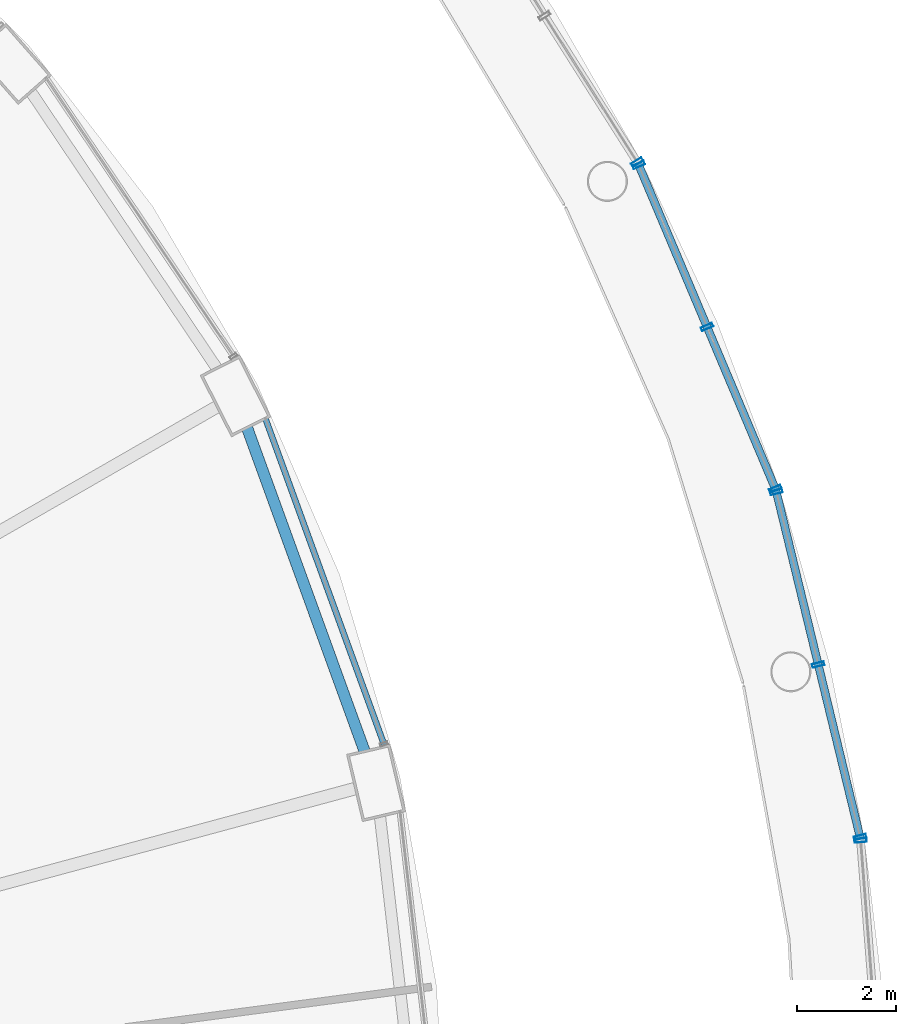
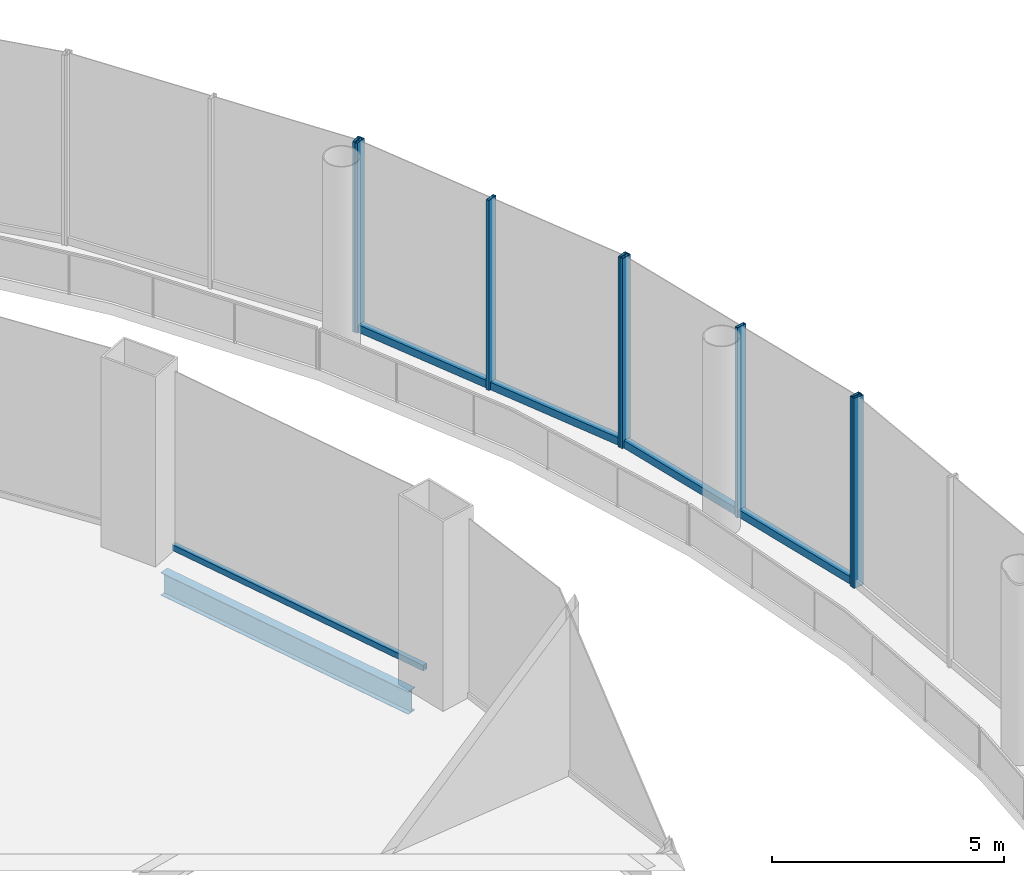
# One storey, part 27 of 47: 11 members, 1 beam, 5 elements without a shape of their own.
"""IFC4 building model written with IfcOpenShell, lengths in metres."""

from ifc_helpers import new_model, si_unit, direction, frame, origin, origin_2d, place, context, subcontext, project, spatial, hollow_rectangle, i_section, extrude, material, layer, layer_set, material_profile, profile_set, type_object, element, aggregate, save


model = new_model("IFC4")

# Units and contexts
model_context = context("Model", 3, precision=1e-05, world=origin(), true_north=direction((0.0, 1.0)))
body_context = subcontext(model_context, "Body", "Model", "MODEL_VIEW")
ifc_project = project(units=[si_unit("LENGTHUNIT", "METRE"), si_unit("AREAUNIT", "SQUARE_METRE"), si_unit("VOLUMEUNIT", "CUBIC_METRE"), si_unit("PLANEANGLEUNIT", "RADIAN"), si_unit("MASSUNIT", "GRAM", prefix="KILO")], contexts=[model_context])

# Site, building, storey
site_placement = place(None, origin())
site = spatial("IfcSite", under=ifc_project, at=site_placement, CompositionType="ELEMENT")
building_placement = place(site_placement, origin())
building = spatial("IfcBuilding", under=site, at=building_placement, Name="Nagisa Residences", CompositionType="ELEMENT")
storey_placement = place(building_placement, frame((0.0, 0.0, 7.0)))
storey = spatial("IfcBuildingStorey", under=building, at=storey_placement, Name="L01", CompositionType="ELEMENT", Elevation=7.0)

# Curtain wall, member
ifc_material_1 = material(Name="Stainless steel curtain wall system", Category="steel")
ifc_layer_1 = layer(ifc_material_1, 0.159912109375)
ifc_layer_set_1 = layer_set([ifc_layer_1], Name="CW3 CURTAIN WALL")
curtain_wall_type_1 = type_object("IfcCurtainWallType", Name="CW3 CURTAIN WALL", PredefinedType="NOTDEFINED", material=ifc_layer_set_1)
curtain_wall_1_placement = place(storey_placement, origin())
curtain_wall_1 = element("IfcCurtainWall", 1, at=curtain_wall_1_placement, inside=storey, type_object=curtain_wall_type_1, Name="cw:CW3:L01:00", PredefinedType="NOTDEFINED")
ifc_material_2 = material(Name="Stainless steel", Category="steel")
ifc_material_profile_1 = material_profile(ifc_material_2, hollow_rectangle(XDim=0.25, YDim=0.080078125, WallThickness=0.008056640625, at=origin_2d()), Name="CW3 MULLION 250x80")
ifc_profile_set_1 = profile_set([ifc_material_profile_1], Name="Stainless steel")
member_type_1 = type_object("IfcMemberType", Name="CW3 MULLION 250x80", PredefinedType="MULLION", material=ifc_profile_set_1)
member_1_placement = place(storey_placement, frame((40.946044921875, 7.2470703125, 0.0), z_axis=(0.0, 0.0, 1.0), x_axis=(-0.996881777235, -0.078909582539, 0.0)))
member_1 = element("IfcMember", 2, at=member_1_placement, type_object=member_type_1, Name="CW3 mullion", PredefinedType="MULLION", context=body_context, shape_type="SweptSolid", body=[
    extrude(hollow_rectangle(XDim=0.25, YDim=0.080078125, WallThickness=0.008056640625, at=origin_2d()), origin(), (0.0, 0.0, 1.0), 5.0),
])
aggregate(curtain_wall_1, [member_1])

# Curtain wall, members
curtain_wall_2_placement = place(storey_placement, origin())
curtain_wall_2 = element("IfcCurtainWall", 3, at=curtain_wall_2_placement, inside=storey, type_object=curtain_wall_type_1, Name="cw:CW3:L01:01", PredefinedType="NOTDEFINED")
member_2_placement = place(storey_placement, frame((40.935546875, 7.313232421875, 0.0), z_axis=(0.0, 0.0, 1.0), x_axis=(-0.971848775146, -0.235605514043, 0.0)))
member_2 = element("IfcMember", 4, at=member_2_placement, type_object=member_type_1, Name="CW3 mullion", PredefinedType="MULLION", context=body_context, shape_type="SweptSolid", body=[
    extrude(hollow_rectangle(XDim=0.25, YDim=0.080078125, WallThickness=0.008056640625, at=origin_2d()), origin(), (0.0, 0.0, 1.0), 5.0),
])
member_3_placement = place(storey_placement, frame((40.087646484375, 10.810302734375, 0.0), z_axis=(0.0, 0.0, 1.0), x_axis=(-0.971848775146, -0.235605514043, 0.0)))
member_3 = element("IfcMember", 5, at=member_3_placement, type_object=member_type_1, Name="CW3 mullion", PredefinedType="MULLION", context=body_context, shape_type="SweptSolid", body=[
    extrude(hollow_rectangle(XDim=0.25, YDim=0.080078125, WallThickness=0.008056640625, at=origin_2d()), origin(), (0.0, 0.0, 1.0), 5.0),
])
member_4_placement = place(storey_placement, frame((39.239990234375, 14.30712890625, 0.0), z_axis=(0.0, 0.0, 1.0), x_axis=(-0.971848775146, -0.235605514043, 0.0)))
member_4 = element("IfcMember", 6, at=member_4_placement, type_object=member_type_1, Name="CW3 mullion", PredefinedType="MULLION", context=body_context, shape_type="SweptSolid", body=[
    extrude(hollow_rectangle(XDim=0.25, YDim=0.080078125, WallThickness=0.008056640625, at=origin_2d()), origin(), (0.0, 0.0, 1.0), 5.0),
])

curtain_wall_3_placement = place(storey_placement, origin())
curtain_wall_3 = element("IfcCurtainWall", 7, at=curtain_wall_3_placement, inside=storey, type_object=curtain_wall_type_1, Name="cw:CW3:L01:02", PredefinedType="NOTDEFINED")
member_5_placement = place(storey_placement, frame((39.218994140625, 14.37060546875, 0.0), z_axis=(0.0, 0.0, 1.0), x_axis=(-0.921356767819, -0.388718029417, 0.0)))
member_5 = element("IfcMember", 8, at=member_5_placement, type_object=member_type_1, Name="CW3 mullion", PredefinedType="MULLION", context=body_context, shape_type="SweptSolid", body=[
    extrude(hollow_rectangle(XDim=0.25, YDim=0.080078125, WallThickness=0.008056640625, at=origin_2d()), origin(), (0.0, 0.0, 1.0), 5.0),
])
member_6_placement = place(storey_placement, frame((37.8349609375, 17.6513671875, 0.0), z_axis=(0.0, 0.0, 1.0), x_axis=(-0.921356767819, -0.388718029417, 0.0)))
member_6 = element("IfcMember", 9, at=member_6_placement, type_object=member_type_1, Name="CW3 mullion", PredefinedType="MULLION", context=body_context, shape_type="SweptSolid", body=[
    extrude(hollow_rectangle(XDim=0.25, YDim=0.080078125, WallThickness=0.008056640625, at=origin_2d()), origin(), (0.0, 0.0, 1.0), 5.0),
])
member_7_placement = place(storey_placement, frame((36.45068359375, 20.93212890625, 0.0), z_axis=(0.0, 0.0, 1.0), x_axis=(-0.921356767819, -0.388718029417, 0.0)))
member_7 = element("IfcMember", 10, at=member_7_placement, type_object=member_type_1, Name="CW3 mullion", PredefinedType="MULLION", context=body_context, shape_type="SweptSolid", body=[
    extrude(hollow_rectangle(XDim=0.25, YDim=0.080078125, WallThickness=0.008056640625, at=origin_2d()), origin(), (0.0, 0.0, 1.0), 5.0),
])

# Curtain wall, member
curtain_wall_4_placement = place(storey_placement, origin())
curtain_wall_4 = element("IfcCurtainWall", 11, at=curtain_wall_4_placement, inside=storey, type_object=curtain_wall_type_1, Name="cw:CW3:L01:03", PredefinedType="NOTDEFINED")
member_8_placement = place(storey_placement, frame((36.419921875, 20.990966796875, 0.0), z_axis=(0.0, 0.0, 1.0), x_axis=(-0.844747368001, -0.535165286856, 0.0)))
member_8 = element("IfcMember", 12, at=member_8_placement, type_object=member_type_1, Name="CW3 mullion", PredefinedType="MULLION", context=body_context, shape_type="SweptSolid", body=[
    extrude(hollow_rectangle(XDim=0.25, YDim=0.080078125, WallThickness=0.008056640625, at=origin_2d()), origin(), (0.0, 0.0, 1.0), 5.0),
])
aggregate(curtain_wall_4, [member_8])

# Member
ifc_material_3 = material(Name="Stainless steel", Category="steel")
ifc_material_profile_2 = material_profile(ifc_material_3, hollow_rectangle(XDim=0.159912109375, YDim=0.199951171875, WallThickness=0.008056640625, at=origin_2d()), Name="CW3 TRANSOM 160x200")
ifc_profile_set_2 = profile_set([ifc_material_profile_2], Name="Stainless steel")
member_type_2 = type_object("IfcMemberType", Name="CW3 TRANSOM 160x200", PredefinedType="USERDEFINED", material=ifc_profile_set_2)
member_9_placement = place(storey_placement, frame((40.945068359375, 7.2744140625, 0.10009765625), z_axis=(-0.235637477095, 0.97184102578, 0.0), x_axis=(-0.97184102578, -0.235637477095, 0.0)))
member_9 = element("IfcMember", 13, at=member_9_placement, type_object=member_type_2, Name="CW3 transom", ObjectType="TRANSOM", PredefinedType="USERDEFINED", context=body_context, shape_type="SweptSolid", body=[
    extrude(hollow_rectangle(XDim=0.159912109375, YDim=0.199951171875, WallThickness=0.008056640625, at=origin_2d()), origin(), (0.0, 0.0, 1.0), 7.2763671875),
])

aggregate(curtain_wall_2, [member_2, member_3, member_4, member_9])

member_10_placement = place(storey_placement, frame((39.234619140625, 14.333740234375, 0.10009765625), z_axis=(-0.388708599467, 0.921360746234, 0.0), x_axis=(-0.921360746234, -0.388708599467, 0.0)))
member_10 = element("IfcMember", 14, at=member_10_placement, type_object=member_type_2, Name="CW3 transom", ObjectType="TRANSOM", PredefinedType="USERDEFINED", context=body_context, shape_type="SweptSolid", body=[
    extrude(hollow_rectangle(XDim=0.159912109375, YDim=0.199951171875, WallThickness=0.008056640625, at=origin_2d()), origin(), (0.0, 0.0, 1.0), 7.20166015625),
])

aggregate(curtain_wall_3, [member_5, member_6, member_7, member_10])

# Curtain wall, member
ifc_material_4 = material(Name="Stainless steel curtain wall system", Category="steel")
ifc_layer_2 = layer(ifc_material_4, 0.159912109375)
ifc_layer_set_2 = layer_set([ifc_layer_2], Name="CW6 CURTAIN WALL")
curtain_wall_type_2 = type_object("IfcCurtainWallType", Name="CW6 CURTAIN WALL", PredefinedType="NOTDEFINED", material=ifc_layer_set_2)
curtain_wall_5_placement = place(storey_placement, origin())
curtain_wall_5 = element("IfcCurtainWall", 15, at=curtain_wall_5_placement, inside=storey, type_object=curtain_wall_type_2, Name="cw:CW6:L01:02", PredefinedType="NOTDEFINED")
ifc_material_5 = material(Name="Stainless steel", Category="steel")
ifc_material_profile_3 = material_profile(ifc_material_5, hollow_rectangle(XDim=0.1201171875, YDim=0.14990234375, WallThickness=0.008056640625, at=origin_2d()), Name="CW6 TRANSOM 120x150")
ifc_profile_set_3 = profile_set([ifc_material_profile_3], Name="Stainless steel")
member_type_3 = type_object("IfcMemberType", Name="CW6 TRANSOM 120x150", PredefinedType="USERDEFINED", material=ifc_profile_set_3)
member_11_placement = place(storey_placement, frame((31.297119140625, 9.17138671875, 0.074951171875), z_axis=(-0.342039719013, 0.939685495587, 0.0), x_axis=(-0.939685495587, -0.342039719013, 0.0)))
member_11 = element("IfcMember", 16, at=member_11_placement, type_object=member_type_3, Name="CW6 transom", ObjectType="TRANSOM", PredefinedType="USERDEFINED", context=body_context, shape_type="SweptSolid", body=[
    extrude(hollow_rectangle(XDim=0.1201171875, YDim=0.14990234375, WallThickness=0.008056640625, at=origin_2d()), origin(), (0.0, 0.0, 1.0), 7.070068359375),
])
aggregate(curtain_wall_5, [member_11])

# Beam
ifc_material_6 = material(Name="Steel ASTM A572 Gr 50", Category="steel")
ifc_material_profile_4 = material_profile(ifc_material_6, i_section(OverallWidth=0.22802734375, OverallDepth=0.60302734375, WebThickness=0.010498046875, FlangeThickness=0.014892578125, at=origin_2d()), Name="W610x101")
ifc_profile_set_4 = profile_set([ifc_material_profile_4], Name="Steel ASTM A572 Gr 50")
beam_type = type_object("IfcBeamType", Name="Perimeter ring beam W610x101", PredefinedType="BEAM", material=ifc_profile_set_4)
beam_placement = place(storey_placement, frame((30.89501953125, 9.055419921875, -0.6015625), z_axis=(-0.341411143183, 0.939914055279, 0.0), x_axis=(-0.939914055279, -0.341411143183, 0.0)))
element("IfcBeam", 17, at=beam_placement, inside=storey, type_object=beam_type, Name="beam:L01:pb02", PredefinedType="BEAM", context=body_context, shape_type="SweptSolid", body=[
    extrude(i_section(OverallWidth=0.22802734375, OverallDepth=0.60302734375, WebThickness=0.010498046875, FlangeThickness=0.014892578125, at=origin_2d()), origin(), (0.0, 0.0, 1.0), 6.96923828125),
])

save(model, "model.ifc")
